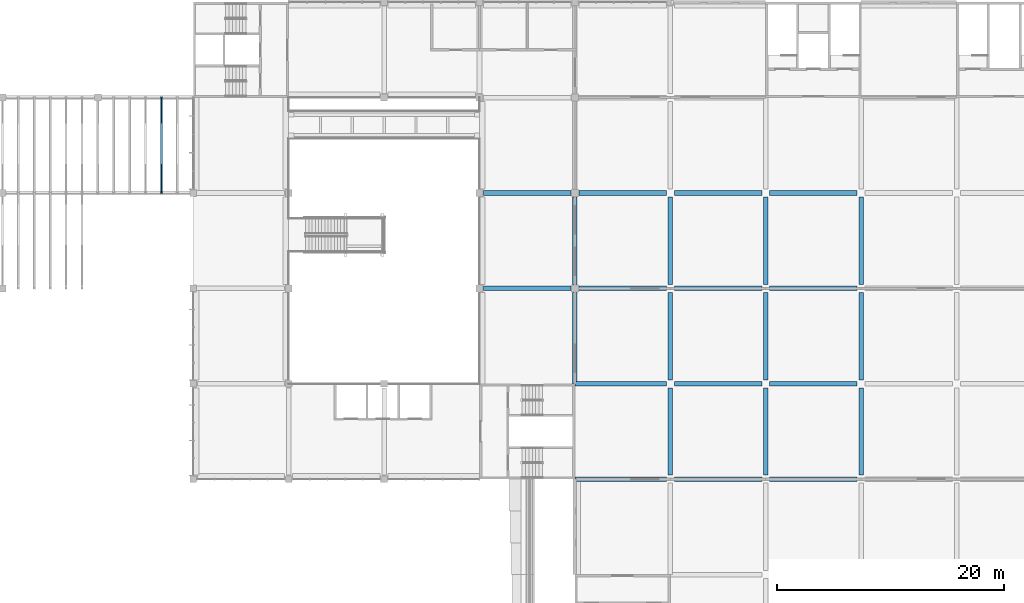
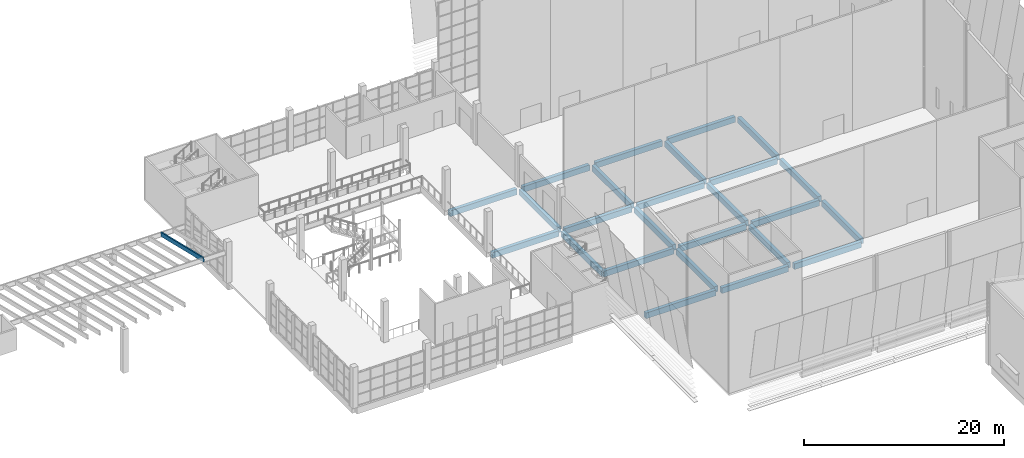
# One storey, part 9 of 59: 25 beams, 1 member.
"""IFC4 building model written with IfcOpenShell, lengths in metres."""

from ifc_helpers import new_model, si_unit, direction, frame, origin, origin_2d, place, context, subcontext, project, spatial, rectangle, extrude, material, material_profile, profile_set, type_object, element, save


model = new_model("IFC4")

# Units and contexts
model_context = context("Model", 3, precision=1e-05, world=origin(), true_north=direction((0.0, 1.0)))
body_context = subcontext(model_context, "Body", "Model", "MODEL_VIEW")
ifc_project = project(units=[si_unit("LENGTHUNIT", "METRE"), si_unit("AREAUNIT", "SQUARE_METRE"), si_unit("VOLUMEUNIT", "CUBIC_METRE"), si_unit("PLANEANGLEUNIT", "RADIAN"), si_unit("MASSUNIT", "GRAM", prefix="KILO")], contexts=[model_context])

# Site, building, storey
site_placement = place(None, origin())
site = spatial("IfcSite", under=ifc_project, at=site_placement, CompositionType="ELEMENT")
building_placement = place(site_placement, origin())
building = spatial("IfcBuilding", under=site, at=building_placement, Name="Almond Square Museum", CompositionType="ELEMENT")
storey_placement = place(building_placement, frame((0.0, 0.0, 25.0)))
storey = spatial("IfcBuildingStorey", under=building, at=storey_placement, Name="L04", CompositionType="ELEMENT", Elevation=25.0)

# Member
ifc_material_1 = material(Name="Glulam GL28h", Category="wood")
ifc_material_profile_1 = material_profile(ifc_material_1, rectangle(XDim=0.159912109375, YDim=0.5, at=origin_2d()))
ifc_profile_set_1 = profile_set([ifc_material_profile_1], Name="Glulam GL28h")
member_type = type_object("IfcMemberType", Name="Glulam rafter GL28h 160x500", PredefinedType="RAFTER", material=ifc_profile_set_1)
member_placement = place(storey_placement, frame((70.39990234375, 92.39990234375, 3.64013671875), z_axis=(0.0, 0.97280712477, -0.231616704918), x_axis=(-1.0, 0.0, 0.0)))
element("IfcMember", 1, at=member_placement, inside=storey, type_object=member_type, Name="V4N rafter 2.23", PredefinedType="RAFTER", context=body_context, shape_type="SweptSolid", body=[
    extrude(rectangle(XDim=0.159912109375, YDim=0.5, at=origin_2d()), origin(), (0.0, 0.0, 1.0), 8.635009765625),
])

# Beams
ifc_material_2 = material(Name="Concrete C40/50", Category="concrete")
ifc_material_profile_2 = material_profile(ifc_material_2, rectangle(XDim=0.39990234375, YDim=0.699951171875, at=origin_2d()))
ifc_profile_set_2 = profile_set([ifc_material_profile_2], Name="Concrete C40/50")
beam_type = type_object("IfcBeamType", Name="RC beam 400 x 700 C40/50", PredefinedType="BEAM", material=ifc_profile_set_2)
beam_1_placement = place(storey_placement, frame((106.800048828125, 67.199951171875, -0.60009765625), z_axis=(1.0, 0.0, 0.0), x_axis=(0.0, 1.0, 0.0)))
element("IfcBeam", 2, at=beam_1_placement, inside=storey, type_object=beam_type, Name="Beam I 14-15 L04", PredefinedType="BEAM", context=body_context, shape_type="SweptSolid", body=[
    extrude(rectangle(XDim=0.39990234375, YDim=0.699951171875, at=origin_2d()), origin(), (0.0, 0.0, 1.0), 8.050048828125),
])
for number, where, z_axis, x_axis, name in (
    (3, (115.550048828125, 67.199951171875, -0.60009765625), (1.0, 0.0, 0.0), (0.0, 1.0, 0.0), "Beam I 15-16 L04"),
    (4, (123.949951171875, 67.199951171875, -0.60009765625), (1.0, 0.0, 0.0), (0.0, 1.0, 0.0), "Beam I 16-17 L04"),
):
    element("IfcBeam", number, at=place(storey_placement, frame(where, z_axis=z_axis, x_axis=x_axis)), inside=storey, type_object=beam_type, Name=name, PredefinedType="BEAM", context=body_context, shape_type="SweptSolid", body=[
        extrude(rectangle(XDim=0.39990234375, YDim=0.699951171875, at=origin_2d()), origin(), (0.0, 0.0, 1.0), 7.699951171875),
    ])
beam_2_placement = place(storey_placement, frame((106.800048828125, 75.60009765625, -0.60009765625), z_axis=(1.0, 0.0, 0.0), x_axis=(0.0, 1.0, 0.0)))
element("IfcBeam", 5, at=beam_2_placement, inside=storey, type_object=beam_type, Name="Beam J 14-15 L04", PredefinedType="BEAM", context=body_context, shape_type="SweptSolid", body=[
    extrude(rectangle(XDim=0.39990234375, YDim=0.699951171875, at=origin_2d()), origin(), (0.0, 0.0, 1.0), 8.050048828125),
])
for number, where, z_axis, x_axis, name in (
    (6, (115.550048828125, 75.60009765625, -0.60009765625), (1.0, 0.0, 0.0), (0.0, 1.0, 0.0), "Beam J 15-16 L04"),
    (7, (123.949951171875, 75.60009765625, -0.60009765625), (1.0, 0.0, 0.0), (0.0, 1.0, 0.0), "Beam J 16-17 L04"),
    (8, (98.75, 84.0, -0.60009765625), (1.0, 0.0, 0.0), (0.0, 1.0, 0.0), "Beam K 13-14 L04"),
):
    element("IfcBeam", number, at=place(storey_placement, frame(where, z_axis=z_axis, x_axis=x_axis)), inside=storey, type_object=beam_type, Name=name, PredefinedType="BEAM", context=body_context, shape_type="SweptSolid", body=[
        extrude(rectangle(XDim=0.39990234375, YDim=0.699951171875, at=origin_2d()), origin(), (0.0, 0.0, 1.0), 7.699951171875),
    ])
beam_3_placement = place(storey_placement, frame((107.14990234375, 84.0, -0.60009765625), z_axis=(1.0, 0.0, 0.0), x_axis=(0.0, 1.0, 0.0)))
element("IfcBeam", 9, at=beam_3_placement, inside=storey, type_object=beam_type, Name="Beam K 14-15 L04", PredefinedType="BEAM", context=body_context, shape_type="SweptSolid", body=[
    extrude(rectangle(XDim=0.39990234375, YDim=0.699951171875, at=origin_2d()), origin(), (0.0, 0.0, 1.0), 7.7001953125),
])
for number, where, z_axis, x_axis, name in (
    (10, (115.550048828125, 84.0, -0.60009765625), (1.0, 0.0, 0.0), (0.0, 1.0, 0.0), "Beam K 15-16 L04"),
    (11, (123.949951171875, 84.0, -0.60009765625), (1.0, 0.0, 0.0), (0.0, 1.0, 0.0), "Beam K 16-17 L04"),
    (12, (98.75, 92.39990234375, -0.60009765625), (1.0, 0.0, 0.0), (0.0, 1.0, 0.0), "Beam L 13-14 L04"),
):
    element("IfcBeam", number, at=place(storey_placement, frame(where, z_axis=z_axis, x_axis=x_axis)), inside=storey, type_object=beam_type, Name=name, PredefinedType="BEAM", context=body_context, shape_type="SweptSolid", body=[
        extrude(rectangle(XDim=0.39990234375, YDim=0.699951171875, at=origin_2d()), origin(), (0.0, 0.0, 1.0), 7.699951171875),
    ])
beam_4_placement = place(storey_placement, frame((107.14990234375, 92.39990234375, -0.60009765625), z_axis=(1.0, 0.0, 0.0), x_axis=(0.0, 1.0, 0.0)))
element("IfcBeam", 13, at=beam_4_placement, inside=storey, type_object=beam_type, Name="Beam L 14-15 L04", PredefinedType="BEAM", context=body_context, shape_type="SweptSolid", body=[
    extrude(rectangle(XDim=0.39990234375, YDim=0.699951171875, at=origin_2d()), origin(), (0.0, 0.0, 1.0), 7.7001953125),
])
for number, where, z_axis, x_axis, name in (
    (14, (115.550048828125, 92.39990234375, -0.60009765625), (1.0, 0.0, 0.0), (0.0, 1.0, 0.0), "Beam L 15-16 L04"),
    (15, (123.949951171875, 92.39990234375, -0.60009765625), (1.0, 0.0, 0.0), (0.0, 1.0, 0.0), "Beam L 16-17 L04"),
):
    element("IfcBeam", number, at=place(storey_placement, frame(where, z_axis=z_axis, x_axis=x_axis)), inside=storey, type_object=beam_type, Name=name, PredefinedType="BEAM", context=body_context, shape_type="SweptSolid", body=[
        extrude(rectangle(XDim=0.39990234375, YDim=0.699951171875, at=origin_2d()), origin(), (0.0, 0.0, 1.0), 7.699951171875),
    ])
beam_5_placement = place(storey_placement, frame((106.800048828125, 75.60009765625, -0.60009765625), z_axis=(0.0, 1.0, 0.0), x_axis=(-1.0, 0.0, 0.0)))
element("IfcBeam", 16, at=beam_5_placement, inside=storey, type_object=beam_type, Name="Beam 14 J-K L04", PredefinedType="BEAM", context=body_context, shape_type="SweptSolid", body=[
    extrude(rectangle(XDim=0.39990234375, YDim=0.699951171875, at=origin_2d()), origin(), (0.0, 0.0, 1.0), 8.0498046875),
])
for number, where, z_axis, x_axis, name in (
    (17, (106.800048828125, 84.35009765625, -0.60009765625), (0.0, 1.0, 0.0), (-1.0, 0.0, 0.0), "Beam 14 K-L L04"),
    (18, (115.199951171875, 67.550048828125, -0.60009765625), (0.0, 1.0, 0.0), (-1.0, 0.0, 0.0), "Beam 15 I-J L04"),
    (19, (115.199951171875, 75.949951171875, -0.60009765625), (0.0, 1.0, 0.0), (-1.0, 0.0, 0.0), "Beam 15 J-K L04"),
    (20, (115.199951171875, 84.35009765625, -0.60009765625), (0.0, 1.0, 0.0), (-1.0, 0.0, 0.0), "Beam 15 K-L L04"),
    (21, (123.60009765625, 67.550048828125, -0.60009765625), (0.0, 1.0, 0.0), (-1.0, 0.0, 0.0), "Beam 16 I-J L04"),
    (22, (123.60009765625, 75.949951171875, -0.60009765625), (0.0, 1.0, 0.0), (-1.0, 0.0, 0.0), "Beam 16 J-K L04"),
    (23, (123.60009765625, 84.35009765625, -0.60009765625), (0.0, 1.0, 0.0), (-1.0, 0.0, 0.0), "Beam 16 K-L L04"),
    (24, (132.0, 67.550048828125, -0.60009765625), (0.0, 1.0, 0.0), (-1.0, 0.0, 0.0), "Beam 17 I-J L04"),
    (25, (132.0, 75.949951171875, -0.60009765625), (0.0, 1.0, 0.0), (-1.0, 0.0, 0.0), "Beam 17 J-K L04"),
    (26, (132.0, 84.35009765625, -0.60009765625), (0.0, 1.0, 0.0), (-1.0, 0.0, 0.0), "Beam 17 K-L L04"),
):
    element("IfcBeam", number, at=place(storey_placement, frame(where, z_axis=z_axis, x_axis=x_axis)), inside=storey, type_object=beam_type, Name=name, PredefinedType="BEAM", context=body_context, shape_type="SweptSolid", body=[
        extrude(rectangle(XDim=0.39990234375, YDim=0.699951171875, at=origin_2d()), origin(), (0.0, 0.0, 1.0), 7.699951171875),
    ])

save(model, "model.ifc")
